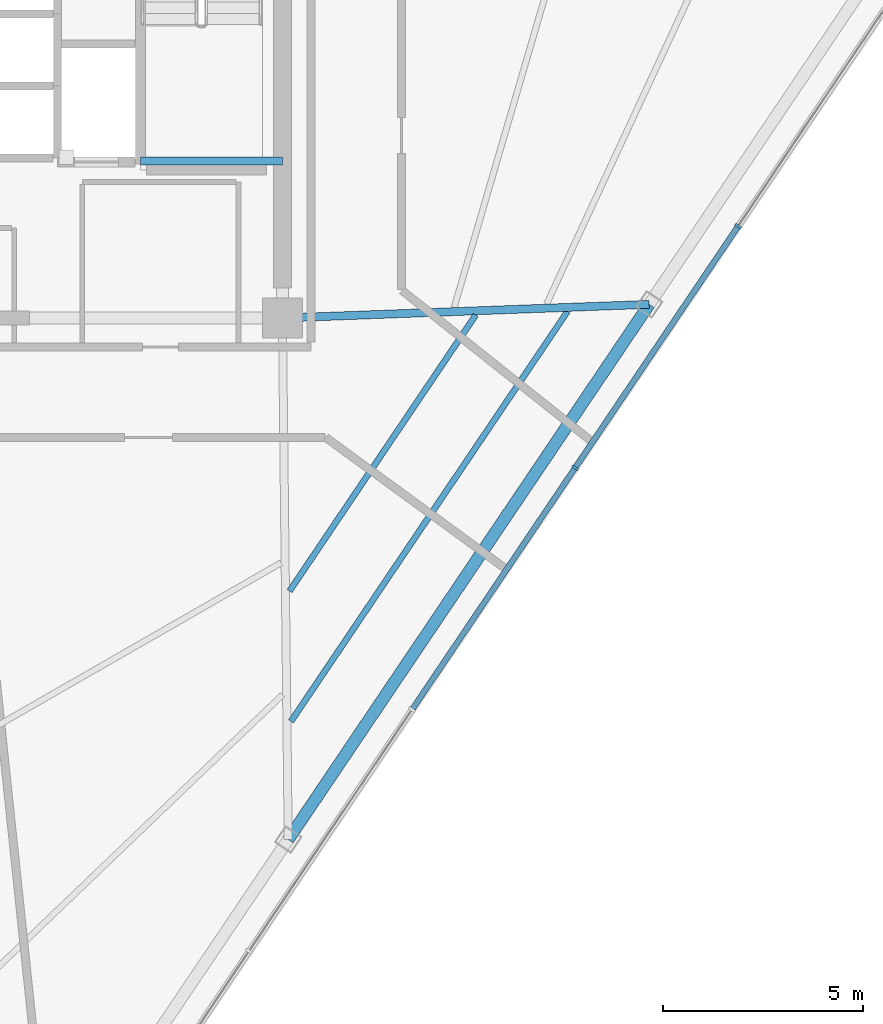
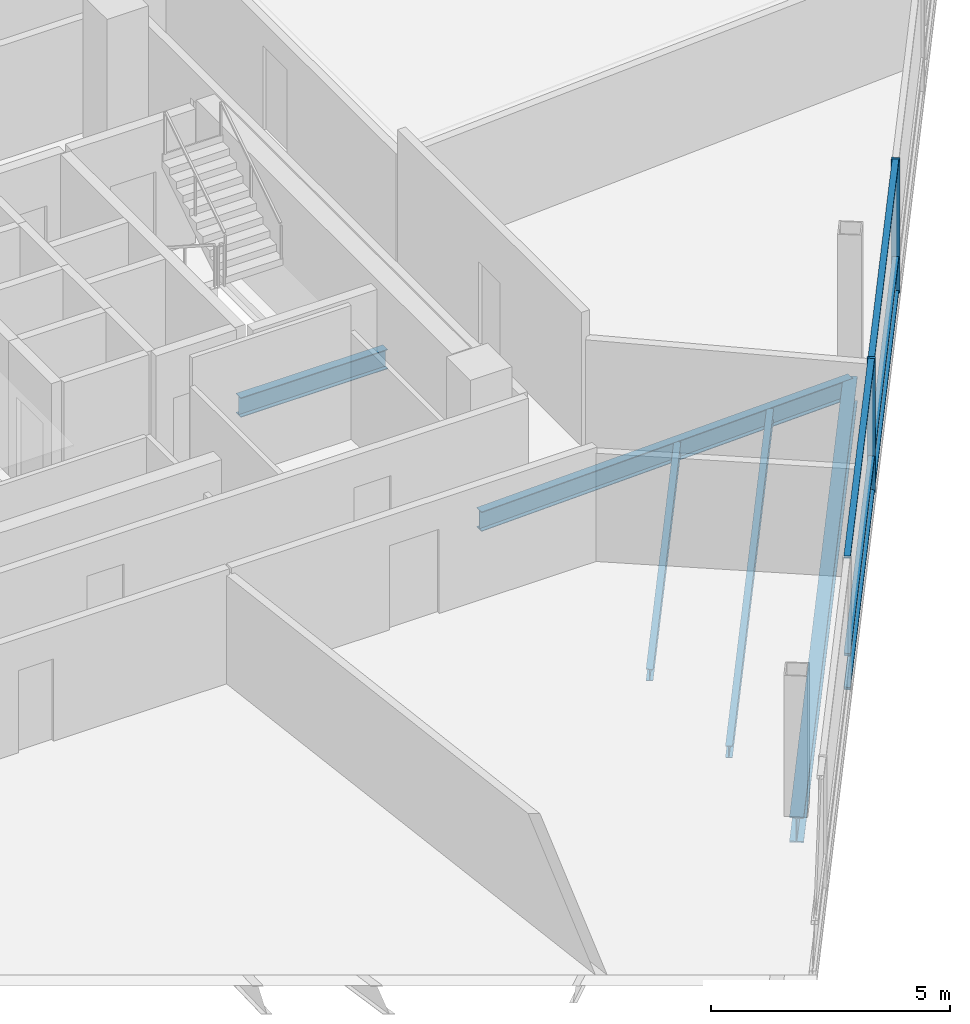
# One storey, part 4 of 14: 8 members, 5 beams, 1 element without a shape of its own.
"""IFC4 building model written with IfcOpenShell, lengths in metres."""

from ifc_helpers import new_model, si_unit, direction, frame, origin, origin_2d, place, context, subcontext, project, spatial, rectangle, i_section, extrude, material, layer, layer_set, material_profile, profile_set, type_object, element, aggregate, save


model = new_model("IFC4")

# Units and contexts
model_context = context("Model", 3, precision=1e-05, world=origin(), true_north=direction((0.0, 1.0)))
body_context = subcontext(model_context, "Body", "Model", "MODEL_VIEW")
ifc_project = project(units=[si_unit("LENGTHUNIT", "METRE"), si_unit("AREAUNIT", "SQUARE_METRE"), si_unit("VOLUMEUNIT", "CUBIC_METRE"), si_unit("PLANEANGLEUNIT", "RADIAN"), si_unit("MASSUNIT", "GRAM", prefix="KILO")], contexts=[model_context])

# Site, building, storey
site_placement = place(None, origin())
site = spatial("IfcSite", under=ifc_project, at=site_placement, CompositionType="ELEMENT")
building_placement = place(site_placement, origin())
building = spatial("IfcBuilding", under=site, at=building_placement, Name="Tharavind Bronze Gate", CompositionType="ELEMENT")
storey_placement = place(building_placement, frame((0.0, 0.0, 245.050048828125)))
storey = spatial("IfcBuildingStorey", under=building, at=storey_placement, Name="L63", CompositionType="ELEMENT", Elevation=245.050048828125)

# Curtain wall, members
ifc_material_1 = material(Name="Anodised Bronze Aluminium", Category="aluminium")
ifc_layer = layer(ifc_material_1, 0.219970703125)
ifc_layer_set = layer_set([ifc_layer], Name="Anodised Bronze Aluminium")
curtain_wall_type = type_object("IfcCurtainWallType", Name="UNITISED CURTAIN WALL UPPER OFFICE", PredefinedType="USERDEFINED", material=ifc_layer_set)
curtain_wall_placement = place(storey_placement, origin())
curtain_wall = element("IfcCurtainWall", 1, at=curtain_wall_placement, inside=storey, type_object=curtain_wall_type, Name="L63 unitised curtain wall upper office CW-L63-S2", ObjectType="UNITISED CURTAIN WALL", PredefinedType="USERDEFINED")
member_type_1 = type_object("IfcMemberType", Name="CURTAIN WALL BRONZE MULLION 65X180", PredefinedType="MULLION", material=ifc_material_1)
member_1_placement = place(storey_placement, frame((16.212890625, -11.34326171875, 0.0), z_axis=(0.0, 0.0, 1.0), x_axis=(0.559192903471, 0.829037572555, 0.0)))
member_1 = element("IfcMember", 2, at=member_1_placement, type_object=member_type_1, Name="CW-L63-S2 mullion 5", PredefinedType="MULLION", context=body_context, shape_type="SweptSolid", body=[
    extrude(rectangle(XDim=0.06494140625, YDim=0.179931640625, at=origin_2d()), origin(), (0.0, 0.0, 1.0), 3.419921875),
])
member_2_placement = place(storey_placement, frame((20.285400390625, -5.305419921875, 0.0), z_axis=(0.0, 0.0, 1.0), x_axis=(0.559192903471, 0.829037572555, 0.0)))
member_2 = element("IfcMember", 3, at=member_2_placement, type_object=member_type_1, Name="CW-L63-S2 mullion 6", PredefinedType="MULLION", context=body_context, shape_type="SweptSolid", body=[
    extrude(rectangle(XDim=0.06494140625, YDim=0.179931640625, at=origin_2d()), origin(), (0.0, 0.0, 1.0), 3.419921875),
])
member_type_2 = type_object("IfcMemberType", Name="CURTAIN WALL BRONZE TRANSOM 65X140", PredefinedType="USERDEFINED", material=ifc_material_1)
member_3_placement = place(storey_placement, frame((14.176513671875, -14.3623046875, 0.0), z_axis=(0.0, 0.0, 1.0), x_axis=(0.559192903471, 0.829037572555, 0.0)))
member_3 = element("IfcMember", 4, at=member_3_placement, type_object=member_type_2, Name="CW-L63-S2 transom TB4", ObjectType="TRANSOM", PredefinedType="USERDEFINED", context=body_context, shape_type="SweptSolid", body=[
    extrude(rectangle(XDim=7.22998046875, YDim=0.139892578125, at=origin_2d()), origin(), (0.0, 0.0, 1.0), 0.06494140625),
])
member_4_placement = place(storey_placement, frame((14.176513671875, -14.3623046875, 0.867431640625), z_axis=(0.0, 0.0, 1.0), x_axis=(0.559192903471, 0.829037572555, 0.0)))
member_4 = element("IfcMember", 5, at=member_4_placement, type_object=member_type_2, Name="CW-L63-S2 transom TS4", ObjectType="TRANSOM", PredefinedType="USERDEFINED", context=body_context, shape_type="SweptSolid", body=[
    extrude(rectangle(XDim=7.22998046875, YDim=0.139892578125, at=origin_2d()), origin(), (0.0, 0.0, 1.0), 0.06494140625),
])
member_5_placement = place(storey_placement, frame((14.176513671875, -14.3623046875, 3.35498046875), z_axis=(0.0, 0.0, 1.0), x_axis=(0.559192903471, 0.829037572555, 0.0)))
member_5 = element("IfcMember", 6, at=member_5_placement, type_object=member_type_2, Name="CW-L63-S2 transom TT4", ObjectType="TRANSOM", PredefinedType="USERDEFINED", context=body_context, shape_type="SweptSolid", body=[
    extrude(rectangle(XDim=7.22998046875, YDim=0.139892578125, at=origin_2d()), origin(), (0.0, 0.0, 1.0), 0.06494140625),
])
member_6_placement = place(storey_placement, frame((18.2490234375, -8.324462890625, 0.0), z_axis=(0.0, 0.0, 1.0), x_axis=(0.559192903471, 0.829037572555, 0.0)))
member_6 = element("IfcMember", 7, at=member_6_placement, type_object=member_type_2, Name="CW-L63-S2 transom TB5", ObjectType="TRANSOM", PredefinedType="USERDEFINED", context=body_context, shape_type="SweptSolid", body=[
    extrude(rectangle(XDim=7.22998046875, YDim=0.139892578125, at=origin_2d()), origin(), (0.0, 0.0, 1.0), 0.06494140625),
])
member_7_placement = place(storey_placement, frame((18.2490234375, -8.324462890625, 0.867431640625), z_axis=(0.0, 0.0, 1.0), x_axis=(0.559192903471, 0.829037572555, 0.0)))
member_7 = element("IfcMember", 8, at=member_7_placement, type_object=member_type_2, Name="CW-L63-S2 transom TS5", ObjectType="TRANSOM", PredefinedType="USERDEFINED", context=body_context, shape_type="SweptSolid", body=[
    extrude(rectangle(XDim=7.22998046875, YDim=0.139892578125, at=origin_2d()), origin(), (0.0, 0.0, 1.0), 0.06494140625),
])
member_8_placement = place(storey_placement, frame((18.2490234375, -8.324462890625, 3.35498046875), z_axis=(0.0, 0.0, 1.0), x_axis=(0.559192903471, 0.829037572555, 0.0)))
member_8 = element("IfcMember", 9, at=member_8_placement, type_object=member_type_2, Name="CW-L63-S2 transom TT5", ObjectType="TRANSOM", PredefinedType="USERDEFINED", context=body_context, shape_type="SweptSolid", body=[
    extrude(rectangle(XDim=7.22998046875, YDim=0.139892578125, at=origin_2d()), origin(), (0.0, 0.0, 1.0), 0.06494140625),
])
aggregate(curtain_wall, [member_1, member_2, member_3, member_4, member_5, member_6, member_7, member_8])

# Beams
ifc_material_2 = material(Name="Steel S355", Category="steel")
ifc_material_profile_1 = material_profile(ifc_material_2, i_section(OverallWidth=0.300048828125, OverallDepth=0.64990234375, WebThickness=0.01611328125, FlangeThickness=0.031005859375, at=origin_2d()), Name="HE650B")
ifc_profile_set_1 = profile_set([ifc_material_profile_1], Name="Steel S355")
beam_type_1 = type_object("IfcBeamType", Name="PRIMARY GIRDER HE650B", PredefinedType="USERDEFINED", material=ifc_profile_set_1)
beam_1_placement = place(storey_placement, frame((9.045654296875, -20.627685546875, -0.505126953125), z_axis=(0.559202164633, 0.829031325747, 0.0), x_axis=(-0.829031325747, 0.559202164633, 0.0)))
element("IfcBeam", 10, at=beam_1_placement, inside=storey, type_object=beam_type_1, Name="L63 primary girder he650b BM-L63-PRG06", ObjectType="GIRDER", PredefinedType="USERDEFINED", context=body_context, shape_type="SweptSolid", body=[
    extrude(i_section(OverallWidth=0.300048828125, OverallDepth=0.64990234375, WebThickness=0.01611328125, FlangeThickness=0.031005859375, at=origin_2d()), origin(), (0.0, 0.0, 1.0), 16.127197265625),
])
ifc_material_profile_2 = material_profile(ifc_material_2, i_section(OverallWidth=0.199951171875, OverallDepth=0.5, WebThickness=0.01025390625, FlangeThickness=0.01611328125, at=origin_2d()), Name="IPE500")
ifc_profile_set_2 = profile_set([ifc_material_profile_2], Name="Steel S355")
beam_type_2 = type_object("IfcBeamType", Name="PRIMARY GIRDER IPE500", PredefinedType="USERDEFINED", material=ifc_profile_set_2)
beam_2_placement = place(storey_placement, frame((5.35009765625, -3.679931640625, 1.349853515625), z_axis=(1.0, 0.0, 0.0), x_axis=(0.0, 1.0, 0.0)))
element("IfcBeam", 11, at=beam_2_placement, inside=storey, type_object=beam_type_2, Name="L63 primary girder ipe500 BM-LD-ST2-L63-1", ObjectType="GIRDER", PredefinedType="USERDEFINED", context=body_context, shape_type="SweptSolid", body=[
    extrude(i_section(OverallWidth=0.199951171875, OverallDepth=0.5, WebThickness=0.01025390625, FlangeThickness=0.01611328125, at=origin_2d()), origin(), (0.0, 0.0, 1.0), 3.5498046875),
])
beam_3_placement = place(storey_placement, frame((18.06396484375, -7.2578125, -0.429931640625), z_axis=(-0.999303187499, -0.037324783378, 0.0), x_axis=(0.037324783378, -0.999303187499, 0.0)))
element("IfcBeam", 12, at=beam_3_placement, inside=storey, type_object=beam_type_2, Name="L63 primary girder ipe500 BM-L63-RAD07", ObjectType="GIRDER", PredefinedType="USERDEFINED", context=body_context, shape_type="SweptSolid", body=[
    extrude(i_section(OverallWidth=0.199951171875, OverallDepth=0.5, WebThickness=0.01025390625, FlangeThickness=0.01611328125, at=origin_2d()), origin(), (0.0, 0.0, 1.0), 9.17041015625),
])
ifc_material_profile_3 = material_profile(ifc_material_2, i_section(OverallWidth=0.14990234375, OverallDepth=0.300048828125, WebThickness=0.007080078125, FlangeThickness=0.0107421875, at=origin_2d()), Name="IPE300")
ifc_profile_set_3 = profile_set([ifc_material_profile_3], Name="Steel S355")
beam_type_3 = type_object("IfcBeamType", Name="SECONDARY FLOOR JOIST IPE300", PredefinedType="JOIST", material=ifc_profile_set_3)
beam_4_placement = place(storey_placement, frame((9.07861328125, -14.420654296875, -0.330078125), z_axis=(0.559181536452, 0.829045239593, 0.0), x_axis=(-0.829045239593, 0.559181536452, 0.0)))
element("IfcBeam", 13, at=beam_4_placement, inside=storey, type_object=beam_type_3, Name="L63 secondary floor joist ipe300 BM-L63-JSTA06", PredefinedType="JOIST", context=body_context, shape_type="SweptSolid", body=[
    extrude(i_section(OverallWidth=0.14990234375, OverallDepth=0.300048828125, WebThickness=0.007080078125, FlangeThickness=0.0107421875, at=origin_2d()), origin(), (0.0, 0.0, 1.0), 8.3203125),
])
beam_5_placement = place(storey_placement, frame((9.114990234375, -17.677734375, -0.330078125), z_axis=(0.559189375042, 0.8290399525, 0.0), x_axis=(-0.8290399525, 0.559189375042, 0.0)))
element("IfcBeam", 14, at=beam_5_placement, inside=storey, type_object=beam_type_3, Name="L63 secondary floor joist ipe300 BM-L63-JSTB06", PredefinedType="JOIST", context=body_context, shape_type="SweptSolid", body=[
    extrude(i_section(OverallWidth=0.14990234375, OverallDepth=0.300048828125, WebThickness=0.007080078125, FlangeThickness=0.0107421875, at=origin_2d()), origin(), (0.0, 0.0, 1.0), 12.352294921875),
])

save(model, "model.ifc")
